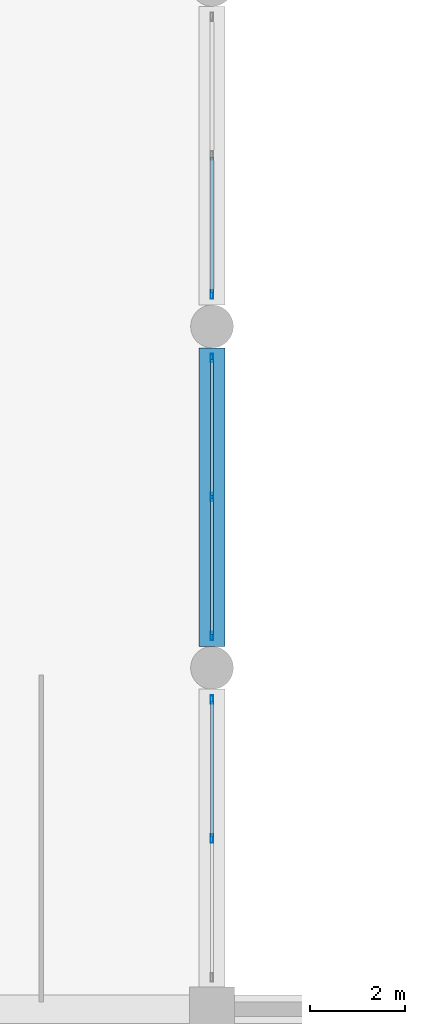
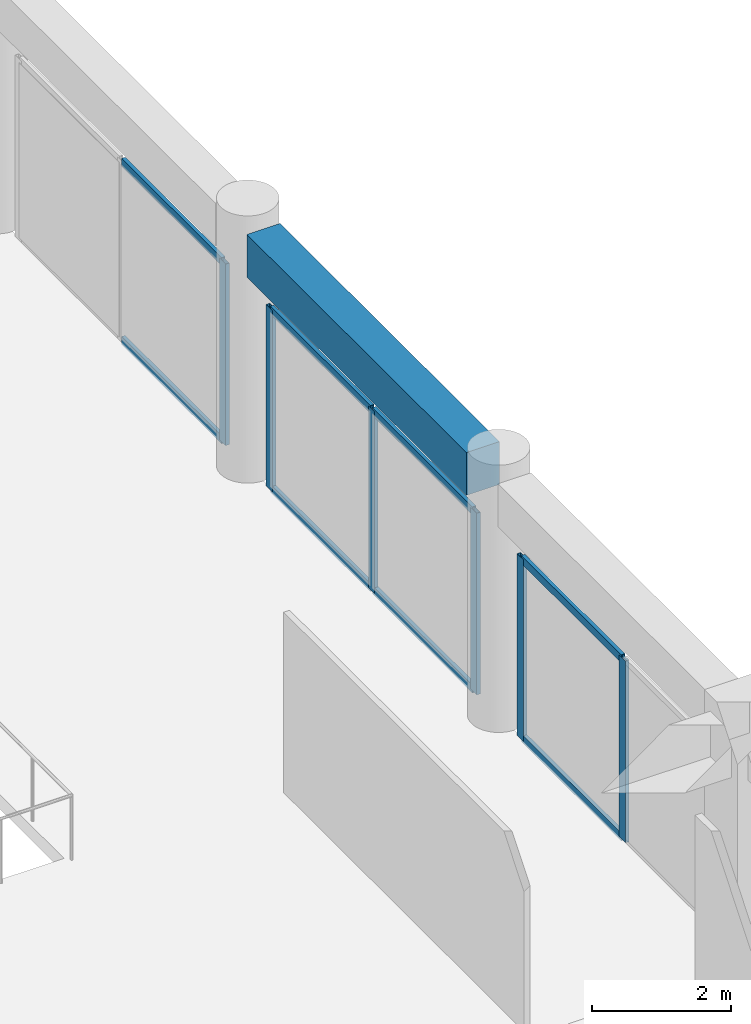
# One storey, part 22 of 54: 14 members, 1 beam, 3 elements without a shape of their own.
"""IFC4 building model written with IfcOpenShell, lengths in metres."""

import ifcopenshell
import ifcopenshell.guid

model = None  # the IFC model being written
_history = None  # IfcOwnerHistory: only IFC2X3 demands one
_inside = {}  # id of a spatial element -> (the spatial element, [elements in it])
_under = {}  # id of a project, library or spatial element -> (it, [spatial elements below it])
_declared = {}  # id of a project -> (the project, [libraries it declares])
_typed = {}  # id of a type object -> (the type object, [elements of that type])
_made_of = {}  # id of a material, layer set ... -> (it, [elements and type objects made of it])


def new_model(schema):
    """Start an empty IFC model of exactly this schema.

    Asked for "IFC4X3", IfcOpenShell would pick the latest addendum, in which some entities
    have other attributes; the version numbers below select the first issue.
    IFC2X3 requires an IfcOwnerHistory on every rooted entity: one is made here for all.
    """
    global model, _history
    if schema == "IFC4X3":
        model = ifcopenshell.file(schema_version=(4, 3, 0, 0))
    else:
        model = ifcopenshell.file(schema=schema)
    _inside.clear()
    _under.clear()
    _declared.clear()
    _typed.clear()
    _made_of.clear()
    _history = None
    if model.schema == "IFC2X3":
        org = make("IfcOrganization", Name="unknown")
        user = make(
            "IfcPersonAndOrganization",
            ThePerson=make("IfcPerson", FamilyName="unknown"),
            TheOrganization=org,
        )
        app = make(
            "IfcApplication",
            ApplicationDeveloper=org,
            Version="unknown",
            ApplicationFullName="unknown",
            ApplicationIdentifier="unknown",
        )
        _history = make(
            "IfcOwnerHistory",
            OwningUser=user,
            OwningApplication=app,
            ChangeAction="ADDED",
            CreationDate=0,
        )
    return model


def make(cls, **values):
    """One entity of the class cls with the attributes given. An attribute that is None is left unset."""
    return model.create_entity(
        cls, **{name: value for name, value in values.items() if value is not None}
    )


def rooted(cls, **values):
    """An entity with a GlobalId (a new one), such as an element, a storey or a relation."""
    return make(cls, GlobalId=ifcopenshell.guid.new(), OwnerHistory=_history, **values)


def si_unit(unit_type, name, prefix=None):
    """IfcSIUnit, for example si_unit("LENGTHUNIT", "METRE", prefix="MILLI")."""
    return make("IfcSIUnit", UnitType=unit_type, Prefix=prefix, Name=name)


def assignment(units):
    """IfcUnitAssignment: the units of a project."""
    return None if units is None else make("IfcUnitAssignment", Units=units)


def point(xyz):
    """IfcCartesianPoint."""
    return None if xyz is None else make("IfcCartesianPoint", Coordinates=xyz)


def direction(xyz):
    """IfcDirection."""
    return None if xyz is None else make("IfcDirection", DirectionRatios=xyz)


def frame(location, z_axis=None, x_axis=None):
    """IfcAxis2Placement3D, a coordinate frame: its origin and axes. An axis left out is left unset."""
    return make(
        "IfcAxis2Placement3D",
        Location=point(location),
        Axis=direction(z_axis),
        RefDirection=direction(x_axis),
    )


def frame_2d(location, x_axis=None):
    """IfcAxis2Placement2D, a coordinate frame in the plane: its origin and x axis."""
    return make(
        "IfcAxis2Placement2D", Location=point(location), RefDirection=direction(x_axis)
    )


def origin():
    """The frame at (0, 0, 0) with its axes left unset."""
    return frame((0.0, 0.0, 0.0))


def origin_2d():
    """The frame at (0, 0) in the plane with its x axis left unset."""
    return frame_2d((0.0, 0.0))


def place(relative_to, where):
    """IfcLocalPlacement: puts the frame where relative to a parent placement (None: the world)."""
    return make(
        "IfcLocalPlacement", PlacementRelTo=relative_to, RelativePlacement=where
    )


def context(
    kind, dimensions, precision=None, world=None, true_north=None, identifier=None
):
    """IfcGeometricRepresentationContext, for example the 3D "Model" context."""
    return make(
        "IfcGeometricRepresentationContext",
        ContextIdentifier=identifier,
        ContextType=kind,
        CoordinateSpaceDimension=dimensions,
        Precision=precision,
        WorldCoordinateSystem=world,
        TrueNorth=true_north,
    )


def subcontext(parent, identifier, kind, view, scale=None):
    """IfcGeometricRepresentationSubContext, for example "Body" below "Model"."""
    return make(
        "IfcGeometricRepresentationSubContext",
        ContextIdentifier=identifier,
        ContextType=kind,
        ParentContext=parent,
        TargetScale=scale,
        TargetView=view,
    )


def project(units=None, contexts=None):
    """IfcProject with its units and contexts."""
    return rooted(
        "IfcProject",
        Name="project",
        RepresentationContexts=contexts,
        UnitsInContext=assignment(units),
    )


def spatial(cls, under=None, at=None, **own):
    """A site, building, storey or space (cls), placed at a placement, below another one or the project."""
    s = rooted(cls, ObjectPlacement=at, **own)
    if under is not None:
        _under.setdefault(under.id(), (under, []))[1].append(s)
    return s


def profile(cls, at=None, kind="AREA", **sizes):
    """A parametric profile (cls). Its sizes go by their IFC names, for example OverallWidth=200.0."""
    return make(cls, ProfileType=kind, Position=at, **sizes)


def rectangle(**sizes):
    """IfcRectangleProfileDef."""
    return profile("IfcRectangleProfileDef", **sizes)


def hollow_rectangle(**sizes):
    """IfcRectangleHollowProfileDef."""
    return profile("IfcRectangleHollowProfileDef", **sizes)


def extrude(swept, where, along, depth):
    """IfcExtrudedAreaSolid: the profile swept, set in the frame where, extruded along a direction by depth."""
    return make(
        "IfcExtrudedAreaSolid",
        SweptArea=swept,
        Position=where,
        ExtrudedDirection=direction(along),
        Depth=depth,
    )


def shape(context_of_items, identifier, shape_type, items):
    """IfcShapeRepresentation: the items that make up one representation, for example the "Body"."""
    return make(
        "IfcShapeRepresentation",
        ContextOfItems=context_of_items,
        RepresentationIdentifier=identifier,
        RepresentationType=shape_type,
        Items=items,
    )


def material(Name=None, Category=None):
    """IfcMaterial."""
    return make("IfcMaterial", Name=Name, Category=Category)


def material_profile(
    of_material, cross_section, Name=None, Category=None, Priority=None
):
    """IfcMaterialProfile: a cross section and its material."""
    return make(
        "IfcMaterialProfile",
        Name=Name,
        Material=of_material,
        Profile=cross_section,
        Priority=Priority,
        Category=Category,
    )


def profile_set(profiles, Name=None, composite=None):
    """IfcMaterialProfileSet."""
    return make(
        "IfcMaterialProfileSet",
        Name=Name,
        MaterialProfiles=profiles,
        CompositeProfile=composite,
    )


def made_of(thing, what):
    """Note that an element or type object is made of a material, layer set ...; save() writes the relation."""
    if what is not None:
        _made_of.setdefault(what.id(), (what, []))[1].append(thing)
    return thing


def type_object(cls, material=None, **own):
    """A type object (cls), such as IfcWallType, which elements share."""
    return made_of(rooted(cls, **own), material)


def element(
    cls,
    number,
    at=None,
    inside=None,
    cuts=None,
    type_object=None,
    material=None,
    context=None,
    identifier="Body",
    shape_type=None,
    held_by="IfcProductDefinitionShape",
    body=None,
    shapes=None,
    **own,
):
    """One element of the class cls, such as IfcWall. Its Tag is "e" and its number.

    at: its placement. inside: the storey or other place that contains it. cuts: it is an
    opening in that element (IfcRelVoidsElement). A single representation is given by context,
    identifier, shape_type and body (its items); several are given by shapes. held_by: the class
    of the entity that holds the representations. save() writes the other relations.
    """
    e = rooted(cls, Tag="e%d" % number, ObjectPlacement=at, **own)
    if body is not None:
        shapes = [shape(context, identifier, shape_type, body)]
    if shapes is not None:
        e.Representation = make(held_by, Representations=shapes)
    if inside is not None:
        _inside.setdefault(inside.id(), (inside, []))[1].append(e)
    if cuts is not None:
        rooted(
            "IfcRelVoidsElement", RelatingBuildingElement=cuts, RelatedOpeningElement=e
        )
    if type_object is not None:
        _typed.setdefault(type_object.id(), (type_object, []))[1].append(e)
    return made_of(e, material)


def aggregate(whole, parts):
    """IfcRelAggregates: a whole, such as a stair, and the parts it consists of."""
    return rooted("IfcRelAggregates", RelatingObject=whole, RelatedObjects=parts)


def save(model, path):
    """Write the relations noted so far, then the file.

    IfcRelAggregates (storeys below a building ...), IfcRelContainedInSpatialStructure (elements
    in a storey), IfcRelDefinesByType, IfcRelAssociatesMaterial and IfcRelDeclares: one each for
    every whole, place, type object, material and project.
    """
    for whole, parts in _under.values():
        aggregate(whole, parts)
    for where, things in _inside.values():
        rooted(
            "IfcRelContainedInSpatialStructure",
            RelatedElements=things,
            RelatingStructure=where,
        )
    for kind, things in _typed.values():
        rooted("IfcRelDefinesByType", RelatedObjects=things, RelatingType=kind)
    for what, things in _made_of.values():
        rooted("IfcRelAssociatesMaterial", RelatedObjects=things, RelatingMaterial=what)
    for by, libraries in _declared.values():
        rooted("IfcRelDeclares", RelatingContext=by, RelatedDefinitions=libraries)
    model.write(path)


model = new_model("IFC4")

# Units and contexts
model_context = context("Model", 3, precision=1e-05, world=origin(), true_north=direction((0.0, 1.0)))
body_context = subcontext(model_context, "Body", "Model", "MODEL_VIEW")
ifc_project = project(units=[si_unit("LENGTHUNIT", "METRE"), si_unit("AREAUNIT", "SQUARE_METRE"), si_unit("VOLUMEUNIT", "CUBIC_METRE"), si_unit("PLANEANGLEUNIT", "RADIAN"), si_unit("MASSUNIT", "GRAM", prefix="KILO")], contexts=[model_context])

# Site, building, storey
site_placement = place(None, origin())
site = spatial("IfcSite", under=ifc_project, at=site_placement, CompositionType="ELEMENT")
building_placement = place(site_placement, origin())
building = spatial("IfcBuilding", under=site, at=building_placement, Name="Kazehaya Institute of Natural Sciences", CompositionType="ELEMENT")
storey_placement = place(building_placement, frame((0.0, 0.0, 10.43994140625)))
storey = spatial("IfcBuildingStorey", under=building, at=storey_placement, Name="L02", CompositionType="ELEMENT", Elevation=10.43994140625)

# Beam
ifc_material_1 = material(Name="Concrete Fc36", Category="concrete")
ifc_material_profile_1 = material_profile(ifc_material_1, rectangle(XDim=0.550048828125, YDim=0.75, at=origin_2d()), Name="RC-550x750")
ifc_profile_set_1 = profile_set([ifc_material_profile_1], Name="Concrete Fc36")
beam_type = type_object("IfcBeamType", Name="BM-G-550x750", PredefinedType="BEAM", material=ifc_profile_set_1)
beam_placement = place(storey_placement, frame((112.199951171875, 43.25, 4.03515625), z_axis=(0.0, 1.0, 0.0), x_axis=(-1.0, 0.0, 0.0)))
element("IfcBeam", 1, at=beam_placement, inside=storey, type_object=beam_type, Name="L02 primary Y girder BMY-L02-1122-428", PredefinedType="BEAM", context=body_context, shape_type="SweptSolid", body=[
    extrude(rectangle(XDim=0.550048828125, YDim=0.75, at=origin_2d()), origin(), (0.0, 0.0, 1.0), 6.300048828125),
])

# Curtain wall, members
ifc_material_2 = material(Name="Aluminium alloy A6063S-T5", Category="aluminium")
curtain_wall_type = type_object("IfcCurtainWallType", Name="CW-SYS-03", PredefinedType="NOTDEFINED", material=ifc_material_2)
curtain_wall_1_placement = place(storey_placement, origin())
curtain_wall_1 = element("IfcCurtainWall", 2, at=curtain_wall_1_placement, inside=storey, type_object=curtain_wall_type, Name="L02 unitised curtain wall CW-L02-024", PredefinedType="NOTDEFINED")
ifc_material_profile_2 = material_profile(ifc_material_2, hollow_rectangle(XDim=0.06005859375, YDim=0.179931640625, WallThickness=0.00390625, at=origin_2d()), Name="ALU-60x180x4")
ifc_profile_set_2 = profile_set([ifc_material_profile_2], Name="Aluminium alloy A6063S-T5")
member_type_1 = type_object("IfcMemberType", Name="CWM-180", PredefinedType="MULLION", material=ifc_profile_set_2)
member_1_placement = place(storey_placement, frame((112.199951171875, 42.1298828125, 0.0), z_axis=(0.0, 0.0, 1.0), x_axis=(1.0, 0.0, 0.0)))
member_1 = element("IfcMember", 3, at=member_1_placement, type_object=member_type_1, Name="CW03 mullion 1", PredefinedType="MULLION", context=body_context, shape_type="SweptSolid", body=[
    extrude(hollow_rectangle(XDim=0.06005859375, YDim=0.179931640625, WallThickness=0.00390625, at=origin_2d()), origin(), (0.0, 0.0, 1.0), 3.18017578125),
])
member_2_placement = place(storey_placement, frame((112.199951171875, 39.199951171875, 0.0), z_axis=(0.0, 0.0, 1.0), x_axis=(1.0, 0.0, 0.0)))
member_2 = element("IfcMember", 4, at=member_2_placement, type_object=member_type_1, Name="CW03 mullion 2", PredefinedType="MULLION", context=body_context, shape_type="SweptSolid", body=[
    extrude(hollow_rectangle(XDim=0.06005859375, YDim=0.179931640625, WallThickness=0.00390625, at=origin_2d()), origin(), (0.0, 0.0, 1.0), 3.18017578125),
])

curtain_wall_2_placement = place(storey_placement, origin())
curtain_wall_2 = element("IfcCurtainWall", 5, at=curtain_wall_2_placement, inside=storey, type_object=curtain_wall_type, Name="L02 unitised curtain wall CW-L02-026", PredefinedType="NOTDEFINED")
member_3_placement = place(storey_placement, frame((112.199951171875, 49.330078125, 0.0), z_axis=(0.0, 0.0, 1.0), x_axis=(1.0, 0.0, 0.0)))
member_3 = element("IfcMember", 6, at=member_3_placement, type_object=member_type_1, Name="CW03 mullion 1", PredefinedType="MULLION", context=body_context, shape_type="SweptSolid", body=[
    extrude(hollow_rectangle(XDim=0.06005859375, YDim=0.179931640625, WallThickness=0.00390625, at=origin_2d()), origin(), (0.0, 0.0, 1.0), 3.18017578125),
])
member_4_placement = place(storey_placement, frame((112.199951171875, 46.39990234375, 0.0), z_axis=(0.0, 0.0, 1.0), x_axis=(1.0, 0.0, 0.0)))
member_4 = element("IfcMember", 7, at=member_4_placement, type_object=member_type_1, Name="CW03 mullion 2", PredefinedType="MULLION", context=body_context, shape_type="SweptSolid", body=[
    extrude(hollow_rectangle(XDim=0.06005859375, YDim=0.179931640625, WallThickness=0.00390625, at=origin_2d()), origin(), (0.0, 0.0, 1.0), 3.18017578125),
])
member_5_placement = place(storey_placement, frame((112.199951171875, 43.469970703125, 0.0), z_axis=(0.0, 0.0, 1.0), x_axis=(1.0, 0.0, 0.0)))
member_5 = element("IfcMember", 8, at=member_5_placement, type_object=member_type_1, Name="CW03 mullion 3", PredefinedType="MULLION", context=body_context, shape_type="SweptSolid", body=[
    extrude(hollow_rectangle(XDim=0.06005859375, YDim=0.179931640625, WallThickness=0.00390625, at=origin_2d()), origin(), (0.0, 0.0, 1.0), 3.18017578125),
])

# Curtain wall, member
curtain_wall_3_placement = place(storey_placement, origin())
curtain_wall_3 = element("IfcCurtainWall", 9, at=curtain_wall_3_placement, inside=storey, type_object=curtain_wall_type, Name="L02 unitised curtain wall CW-L02-028", PredefinedType="NOTDEFINED")
member_6_placement = place(storey_placement, frame((112.199951171875, 50.669921875, 0.0), z_axis=(0.0, 0.0, 1.0), x_axis=(1.0, 0.0, 0.0)))
member_6 = element("IfcMember", 10, at=member_6_placement, type_object=member_type_1, Name="CW03 mullion 3", PredefinedType="MULLION", context=body_context, shape_type="SweptSolid", body=[
    extrude(hollow_rectangle(XDim=0.06005859375, YDim=0.179931640625, WallThickness=0.00390625, at=origin_2d()), origin(), (0.0, 0.0, 1.0), 3.18017578125),
])

# Member
ifc_material_profile_3 = material_profile(ifc_material_2, hollow_rectangle(XDim=0.06005859375, YDim=0.139892578125, WallThickness=0.00341796875, at=origin_2d()), Name="ALU-60x140x3.5")
ifc_profile_set_3 = profile_set([ifc_material_profile_3], Name="Aluminium alloy A6063S-T5")
member_type_2 = type_object("IfcMemberType", Name="CWT-140", PredefinedType="USERDEFINED", material=ifc_profile_set_3)
member_7_placement = place(storey_placement, frame((112.199951171875, 42.10009765625, 0.030029296875), z_axis=(0.0, -1.0, 0.0), x_axis=(1.0, 0.0, 0.0)))
member_7 = element("IfcMember", 11, at=member_7_placement, type_object=member_type_2, Name="CW03 transom 1.1", ObjectType="TRANSOM", PredefinedType="USERDEFINED", context=body_context, shape_type="SweptSolid", body=[
    extrude(hollow_rectangle(XDim=0.06005859375, YDim=0.139892578125, WallThickness=0.00341796875, at=origin_2d()), origin(), (0.0, 0.0, 1.0), 2.8701171875),
])

member_8_placement = place(storey_placement, frame((112.199951171875, 42.10009765625, 3.150146484375), z_axis=(0.0, -1.0, 0.0), x_axis=(1.0, 0.0, 0.0)))
member_8 = element("IfcMember", 12, at=member_8_placement, type_object=member_type_2, Name="CW03 transom 1.2", ObjectType="TRANSOM", PredefinedType="USERDEFINED", context=body_context, shape_type="SweptSolid", body=[
    extrude(hollow_rectangle(XDim=0.06005859375, YDim=0.139892578125, WallThickness=0.00341796875, at=origin_2d()), origin(), (0.0, 0.0, 1.0), 2.8701171875),
])

aggregate(curtain_wall_1, [member_1, member_2, member_7, member_8])

member_9_placement = place(storey_placement, frame((112.199951171875, 49.300048828125, 0.030029296875), z_axis=(0.0, -1.0, 0.0), x_axis=(1.0, 0.0, 0.0)))
member_9 = element("IfcMember", 13, at=member_9_placement, type_object=member_type_2, Name="CW03 transom 1.1", ObjectType="TRANSOM", PredefinedType="USERDEFINED", context=body_context, shape_type="SweptSolid", body=[
    extrude(hollow_rectangle(XDim=0.06005859375, YDim=0.139892578125, WallThickness=0.00341796875, at=origin_2d()), origin(), (0.0, 0.0, 1.0), 2.8701171875),
])

member_10_placement = place(storey_placement, frame((112.199951171875, 49.300048828125, 3.150146484375), z_axis=(0.0, -1.0, 0.0), x_axis=(1.0, 0.0, 0.0)))
member_10 = element("IfcMember", 14, at=member_10_placement, type_object=member_type_2, Name="CW03 transom 1.2", ObjectType="TRANSOM", PredefinedType="USERDEFINED", context=body_context, shape_type="SweptSolid", body=[
    extrude(hollow_rectangle(XDim=0.06005859375, YDim=0.139892578125, WallThickness=0.00341796875, at=origin_2d()), origin(), (0.0, 0.0, 1.0), 2.8701171875),
])

member_11_placement = place(storey_placement, frame((112.199951171875, 46.3701171875, 0.030029296875), z_axis=(0.0, -1.0, 0.0), x_axis=(1.0, 0.0, 0.0)))
member_11 = element("IfcMember", 15, at=member_11_placement, type_object=member_type_2, Name="CW03 transom 2.1", ObjectType="TRANSOM", PredefinedType="USERDEFINED", context=body_context, shape_type="SweptSolid", body=[
    extrude(hollow_rectangle(XDim=0.06005859375, YDim=0.139892578125, WallThickness=0.00341796875, at=origin_2d()), origin(), (0.0, 0.0, 1.0), 2.8701171875),
])

member_12_placement = place(storey_placement, frame((112.199951171875, 46.3701171875, 3.150146484375), z_axis=(0.0, -1.0, 0.0), x_axis=(1.0, 0.0, 0.0)))
member_12 = element("IfcMember", 16, at=member_12_placement, type_object=member_type_2, Name="CW03 transom 2.2", ObjectType="TRANSOM", PredefinedType="USERDEFINED", context=body_context, shape_type="SweptSolid", body=[
    extrude(hollow_rectangle(XDim=0.06005859375, YDim=0.139892578125, WallThickness=0.00341796875, at=origin_2d()), origin(), (0.0, 0.0, 1.0), 2.8701171875),
])

aggregate(curtain_wall_2, [member_3, member_4, member_5, member_9, member_10, member_11, member_12])

member_13_placement = place(storey_placement, frame((112.199951171875, 53.570068359375, 0.030029296875), z_axis=(0.0, -1.0, 0.0), x_axis=(1.0, 0.0, 0.0)))
member_13 = element("IfcMember", 17, at=member_13_placement, type_object=member_type_2, Name="CW03 transom 2.1", ObjectType="TRANSOM", PredefinedType="USERDEFINED", context=body_context, shape_type="SweptSolid", body=[
    extrude(hollow_rectangle(XDim=0.06005859375, YDim=0.139892578125, WallThickness=0.00341796875, at=origin_2d()), origin(), (0.0, 0.0, 1.0), 2.8701171875),
])

member_14_placement = place(storey_placement, frame((112.199951171875, 53.570068359375, 3.150146484375), z_axis=(0.0, -1.0, 0.0), x_axis=(1.0, 0.0, 0.0)))
member_14 = element("IfcMember", 18, at=member_14_placement, type_object=member_type_2, Name="CW03 transom 2.2", ObjectType="TRANSOM", PredefinedType="USERDEFINED", context=body_context, shape_type="SweptSolid", body=[
    extrude(hollow_rectangle(XDim=0.06005859375, YDim=0.139892578125, WallThickness=0.00341796875, at=origin_2d()), origin(), (0.0, 0.0, 1.0), 2.8701171875),
])

aggregate(curtain_wall_3, [member_6, member_13, member_14])

save(model, "model.ifc")
